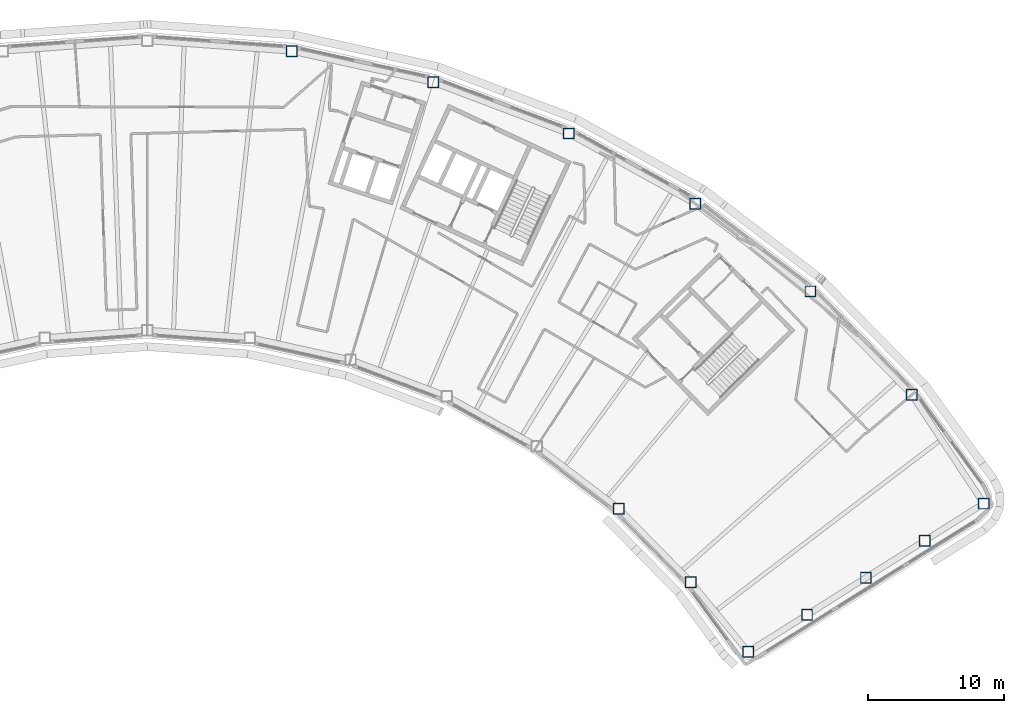
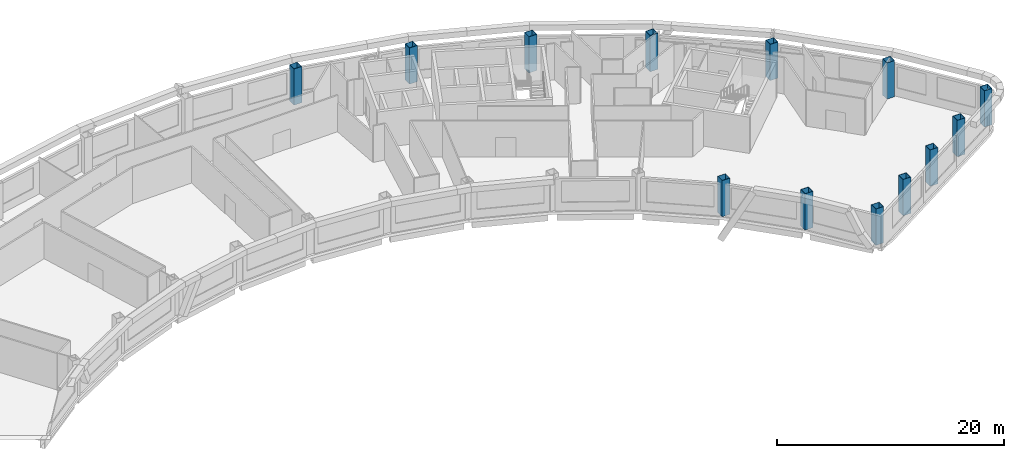
# One storey, part 2 of 13: 13 columns.
"""IFC4 building model written with IfcOpenShell, lengths in metres."""

from ifc_helpers import new_model, si_unit, direction, frame, origin, origin_2d, place, context, subcontext, project, spatial, hollow_rectangle, extrude, material, material_profile, profile_set, type_object, element, save


model = new_model("IFC4")

# Units and contexts
model_context = context("Model", 3, precision=1e-05, world=origin(), true_north=direction((0.0, 1.0)))
body_context = subcontext(model_context, "Body", "Model", "MODEL_VIEW")
ifc_project = project(units=[si_unit("LENGTHUNIT", "METRE"), si_unit("AREAUNIT", "SQUARE_METRE"), si_unit("VOLUMEUNIT", "CUBIC_METRE"), si_unit("PLANEANGLEUNIT", "RADIAN"), si_unit("MASSUNIT", "GRAM", prefix="KILO")], contexts=[model_context])

# Site, building, storey
site_placement = place(None, origin())
site = spatial("IfcSite", under=ifc_project, at=site_placement, CompositionType="ELEMENT")
building_placement = place(site_placement, origin())
building = spatial("IfcBuilding", under=site, at=building_placement, Name="Tuul Gate Civic Tower", CompositionType="ELEMENT")
storey_placement = place(building_placement, frame((0.0, 0.0, 290.0)))
storey = spatial("IfcBuildingStorey", under=building, at=storey_placement, Name="Level 65", CompositionType="ELEMENT", Elevation=290.0)

# Columns
ifc_material = material(Name="Steel S355", Category="steel")
ifc_material_profile = material_profile(ifc_material, hollow_rectangle(XDim=0.800048828125, YDim=0.800048828125, WallThickness=0.031982421875, at=origin_2d()), Name="BOX800x800x32")
ifc_profile_set = profile_set([ifc_material_profile], Name="Steel S355")
column_type = type_object("IfcColumnType", Name="STR-COLUMN-BOX800x800x32", PredefinedType="COLUMN", material=ifc_profile_set)
for number, where, z_axis, x_axis, name in (
    (1, (68.458984375, -24.89697265625, 0.0), (0.0, 0.0, 1.0), (1.0, 0.0, 0.0), "Column"),
    (2, (63.159912109375, -16.884033203125, 0.0), (0.0, 0.0, 1.0), (1.0, 0.0, 0.0), "Column"),
    (3, (55.68603515625, -9.259033203125, 0.0), (0.0, 0.0, 1.0), (1.0, 0.0, 0.0), "Column"),
    (4, (47.19091796875, -2.791015625, 0.0), (0.0, 0.0, 1.0), (1.0, 0.0, 0.0), "Column"),
    (5, (37.85205078125, 2.385009765625, 0.0), (0.0, 0.0, 1.0), (1.0, 0.0, 0.0), "Column"),
    (6, (27.864990234375, 6.162109375, 0.0), (0.0, 0.0, 1.0), (1.0, 0.0, 0.0), "Column"),
    (7, (17.43798828125, 8.4599609375, 0.0), (0.0, 0.0, 1.0), (1.0, 0.0, 0.0), "Column"),
    (8, (41.554931640625, -25.27099609375, 0.0), (0.0, 0.0, 1.0), (1.0, 0.0, 0.0), "Column"),
    (9, (46.868896484375, -30.693115234375, 0.0), (0.0, 0.0, 1.0), (1.0, 0.0, 0.0), "Column"),
    (10, (51.089111328125, -35.8349609375, 0.0), (0.0, 0.0, 1.0), (1.0, 0.0, 0.0), "Column"),
    (11, (55.431884765625, -33.10009765625, 0.0), (0.0, 0.0, 1.0), (1.0, 0.0, 0.0), "Column"),
    (12, (59.77392578125, -30.365966796875, 0.0), (0.0, 0.0, 1.0), (1.0, 0.0, 0.0), "Column"),
    (13, (64.116943359375, -27.631103515625, 0.0), (0.0, 0.0, 1.0), (1.0, 0.0, 0.0), "Column"),
):
    element("IfcColumn", number, at=place(storey_placement, frame(where, z_axis=z_axis, x_axis=x_axis)), inside=storey, type_object=column_type, Name=name, PredefinedType="COLUMN", context=body_context, shape_type="SweptSolid", body=[
        extrude(hollow_rectangle(XDim=0.800048828125, YDim=0.800048828125, WallThickness=0.031982421875, at=origin_2d()), origin(), (0.0, 0.0, 1.0), 3.89990234375),
    ])

save(model, "model.ifc")
